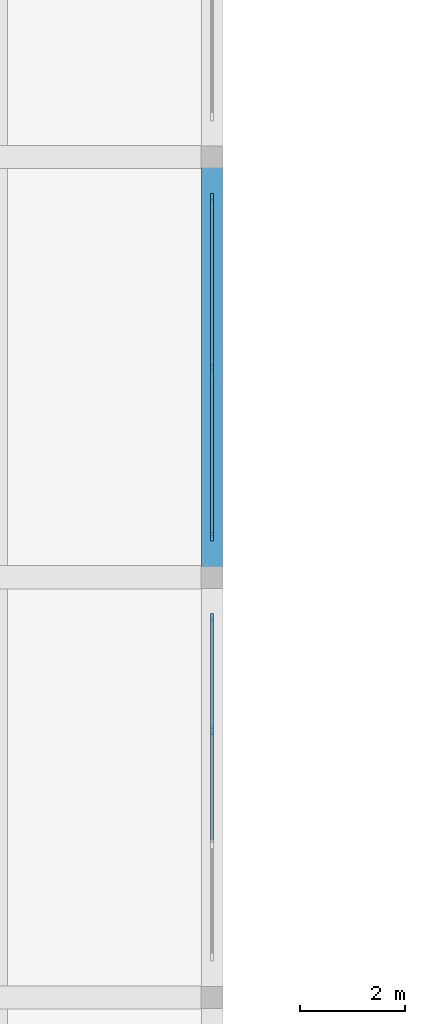
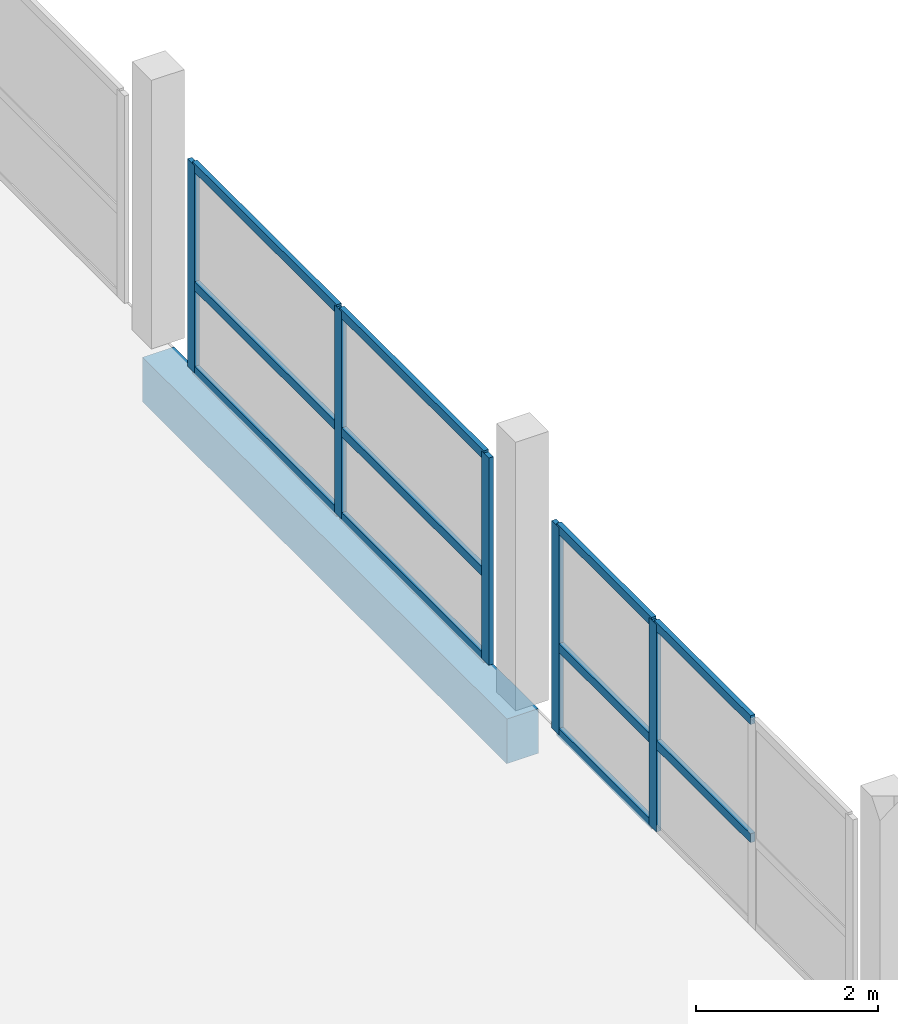
# One storey, part 10 of 51: 16 members, 1 beam, 2 elements without a shape of their own.
"""IFC4 building model written with IfcOpenShell, lengths in metres."""

from ifc_helpers import new_model, si_unit, direction, frame, origin, origin_2d, place, context, subcontext, project, spatial, rectangle, extrude, material, material_profile, profile_set, type_object, element, aggregate, save


model = new_model("IFC4")

# Units and contexts
model_context = context("Model", 3, precision=1e-05, world=origin(), true_north=direction((0.0, 1.0)))
body_context = subcontext(model_context, "Body", "Model", "MODEL_VIEW")
ifc_project = project(units=[si_unit("LENGTHUNIT", "METRE"), si_unit("AREAUNIT", "SQUARE_METRE"), si_unit("VOLUMEUNIT", "CUBIC_METRE"), si_unit("PLANEANGLEUNIT", "RADIAN"), si_unit("MASSUNIT", "GRAM", prefix="KILO")], contexts=[model_context])

# Site, building, storey
site_placement = place(None, origin())
site = spatial("IfcSite", under=ifc_project, at=site_placement, CompositionType="ELEMENT")
building_placement = place(site_placement, origin())
building = spatial("IfcBuilding", under=site, at=building_placement, Name="Vharandega Faculty of Natural Sciences", CompositionType="ELEMENT")
storey_placement = place(building_placement, frame((0.0, 0.0, 14.39990234375)))
storey = spatial("IfcBuildingStorey", under=building, at=storey_placement, Name="L03", CompositionType="ELEMENT", Elevation=14.39990234375)

# Curtain wall, members
ifc_material_1 = material(Name="Aluminium and solar-control glass curtain wall", Category="aluminium")
curtain_wall_type_1 = type_object("IfcCurtainWallType", Name="Unitised Curtain Wall System CW-16", PredefinedType="NOTDEFINED", material=ifc_material_1)
curtain_wall_1_placement = place(storey_placement, origin())
curtain_wall_1 = element("IfcCurtainWall", 1, at=curtain_wall_1_placement, inside=storey, type_object=curtain_wall_type_1, Name="Curtain Wall CW-L03-155", PredefinedType="NOTDEFINED")
ifc_material_2 = material(Name="Thermally broken aluminium 6063-T6", Category="aluminium")
ifc_material_profile_1 = material_profile(ifc_material_2, rectangle(XDim=0.06005859375, YDim=0.159912109375, at=origin_2d()), Name="ALU 60x160")
ifc_profile_set_1 = profile_set([ifc_material_profile_1], Name="Thermally broken aluminium 6063-T6")
member_type_1 = type_object("IfcMemberType", Name="CW Mullion 60x160", PredefinedType="MULLION", material=ifc_profile_set_1)
member_1_placement = place(storey_placement, frame((48.0, 21.086669921875, 0.0), z_axis=(0.0, 0.0, 1.0), x_axis=(-1.0, 0.0, 0.0)))
member_1 = element("IfcMember", 2, at=member_1_placement, type_object=member_type_1, Name="CW-16 mullion 3", PredefinedType="MULLION", context=body_context, shape_type="SweptSolid", body=[
    extrude(rectangle(XDim=0.06005859375, YDim=0.159912109375, at=origin_2d()), origin(), (0.0, 0.0, 1.0), 2.780029296875),
])
member_2_placement = place(storey_placement, frame((48.0, 23.22998046875, 0.0), z_axis=(0.0, 0.0, 1.0), x_axis=(-1.0, 0.0, 0.0)))
member_2 = element("IfcMember", 3, at=member_2_placement, type_object=member_type_1, Name="CW-16 mullion 4", PredefinedType="MULLION", context=body_context, shape_type="SweptSolid", body=[
    extrude(rectangle(XDim=0.06005859375, YDim=0.159912109375, at=origin_2d()), origin(), (0.0, 0.0, 1.0), 2.780029296875),
])

ifc_material_3 = material(Name="Aluminium and solar-control glass curtain wall", Category="aluminium")
curtain_wall_type_2 = type_object("IfcCurtainWallType", Name="Unitised Curtain Wall System CW-17", PredefinedType="NOTDEFINED", material=ifc_material_3)
curtain_wall_2_placement = place(storey_placement, origin())
curtain_wall_2 = element("IfcCurtainWall", 4, at=curtain_wall_2_placement, inside=storey, type_object=curtain_wall_type_2, Name="Curtain Wall CW-L03-156", PredefinedType="NOTDEFINED")
member_3_placement = place(storey_placement, frame((48.0, 24.77001953125, 0.0), z_axis=(0.0, 0.0, 1.0), x_axis=(-1.0, 0.0, 0.0)))
member_3 = element("IfcMember", 5, at=member_3_placement, type_object=member_type_1, Name="CW-17 mullion 1", PredefinedType="MULLION", context=body_context, shape_type="SweptSolid", body=[
    extrude(rectangle(XDim=0.06005859375, YDim=0.159912109375, at=origin_2d()), origin(), (0.0, 0.0, 1.0), 2.780029296875),
])
member_4_placement = place(storey_placement, frame((48.0, 28.0, 0.0), z_axis=(0.0, 0.0, 1.0), x_axis=(-1.0, 0.0, 0.0)))
member_4 = element("IfcMember", 6, at=member_4_placement, type_object=member_type_1, Name="CW-17 mullion 2", PredefinedType="MULLION", context=body_context, shape_type="SweptSolid", body=[
    extrude(rectangle(XDim=0.06005859375, YDim=0.159912109375, at=origin_2d()), origin(), (0.0, 0.0, 1.0), 2.780029296875),
])
member_5_placement = place(storey_placement, frame((48.0, 31.22998046875, 0.0), z_axis=(0.0, 0.0, 1.0), x_axis=(-1.0, 0.0, 0.0)))
member_5 = element("IfcMember", 7, at=member_5_placement, type_object=member_type_1, Name="CW-17 mullion 3", PredefinedType="MULLION", context=body_context, shape_type="SweptSolid", body=[
    extrude(rectangle(XDim=0.06005859375, YDim=0.159912109375, at=origin_2d()), origin(), (0.0, 0.0, 1.0), 2.780029296875),
])

# Member
ifc_material_4 = material(Name="Thermally broken aluminium 6063-T6", Category="aluminium")
ifc_material_profile_2 = material_profile(ifc_material_4, rectangle(XDim=0.06005859375, YDim=0.1201171875, at=origin_2d()), Name="ALU 60x120")
ifc_profile_set_2 = profile_set([ifc_material_profile_2], Name="Thermally broken aluminium 6063-T6")
member_type_2 = type_object("IfcMemberType", Name="CW Transom 60x120", PredefinedType="USERDEFINED", material=ifc_profile_set_2)
member_6_placement = place(storey_placement, frame((48.0, 18.943359375, 1.167724609375), z_axis=(0.0, 1.0, 0.0), x_axis=(-1.0, 0.0, 0.0)))
member_6 = element("IfcMember", 8, at=member_6_placement, type_object=member_type_2, Name="CW-16 transom 2.2", ObjectType="TRANSOM", PredefinedType="USERDEFINED", context=body_context, shape_type="SweptSolid", body=[
    extrude(rectangle(XDim=0.06005859375, YDim=0.1201171875, at=origin_2d()), origin(), (0.0, 0.0, 1.0), 2.11328125),
])

member_7_placement = place(storey_placement, frame((48.0, 18.943359375, 2.75), z_axis=(0.0, 1.0, 0.0), x_axis=(-1.0, 0.0, 0.0)))
member_7 = element("IfcMember", 9, at=member_7_placement, type_object=member_type_2, Name="CW-16 transom 2.3", ObjectType="TRANSOM", PredefinedType="USERDEFINED", context=body_context, shape_type="SweptSolid", body=[
    extrude(rectangle(XDim=0.06005859375, YDim=0.1201171875, at=origin_2d()), origin(), (0.0, 0.0, 1.0), 2.11328125),
])

member_8_placement = place(storey_placement, frame((48.0, 21.11669921875, 0.030029296875), z_axis=(0.0, 1.0, 0.0), x_axis=(-1.0, 0.0, 0.0)))
member_8 = element("IfcMember", 10, at=member_8_placement, type_object=member_type_2, Name="CW-16 transom 3.1", ObjectType="TRANSOM", PredefinedType="USERDEFINED", context=body_context, shape_type="SweptSolid", body=[
    extrude(rectangle(XDim=0.06005859375, YDim=0.1201171875, at=origin_2d()), origin(), (0.0, 0.0, 1.0), 2.083251953125),
])

member_9_placement = place(storey_placement, frame((48.0, 21.11669921875, 1.167724609375), z_axis=(0.0, 1.0, 0.0), x_axis=(-1.0, 0.0, 0.0)))
member_9 = element("IfcMember", 11, at=member_9_placement, type_object=member_type_2, Name="CW-16 transom 3.2", ObjectType="TRANSOM", PredefinedType="USERDEFINED", context=body_context, shape_type="SweptSolid", body=[
    extrude(rectangle(XDim=0.06005859375, YDim=0.1201171875, at=origin_2d()), origin(), (0.0, 0.0, 1.0), 2.083251953125),
])

member_10_placement = place(storey_placement, frame((48.0, 21.11669921875, 2.75), z_axis=(0.0, 1.0, 0.0), x_axis=(-1.0, 0.0, 0.0)))
member_10 = element("IfcMember", 12, at=member_10_placement, type_object=member_type_2, Name="CW-16 transom 3.3", ObjectType="TRANSOM", PredefinedType="USERDEFINED", context=body_context, shape_type="SweptSolid", body=[
    extrude(rectangle(XDim=0.06005859375, YDim=0.1201171875, at=origin_2d()), origin(), (0.0, 0.0, 1.0), 2.083251953125),
])

aggregate(curtain_wall_1, [member_1, member_2, member_6, member_7, member_8, member_9, member_10])

member_11_placement = place(storey_placement, frame((48.0, 24.800048828125, 0.030029296875), z_axis=(0.0, 1.0, 0.0), x_axis=(-1.0, 0.0, 0.0)))
member_11 = element("IfcMember", 13, at=member_11_placement, type_object=member_type_2, Name="CW-17 transom 1.1", ObjectType="TRANSOM", PredefinedType="USERDEFINED", context=body_context, shape_type="SweptSolid", body=[
    extrude(rectangle(XDim=0.06005859375, YDim=0.1201171875, at=origin_2d()), origin(), (0.0, 0.0, 1.0), 3.169921875),
])

member_12_placement = place(storey_placement, frame((48.0, 24.800048828125, 1.167724609375), z_axis=(0.0, 1.0, 0.0), x_axis=(-1.0, 0.0, 0.0)))
member_12 = element("IfcMember", 14, at=member_12_placement, type_object=member_type_2, Name="CW-17 transom 1.2", ObjectType="TRANSOM", PredefinedType="USERDEFINED", context=body_context, shape_type="SweptSolid", body=[
    extrude(rectangle(XDim=0.06005859375, YDim=0.1201171875, at=origin_2d()), origin(), (0.0, 0.0, 1.0), 3.169921875),
])

member_13_placement = place(storey_placement, frame((48.0, 24.800048828125, 2.75), z_axis=(0.0, 1.0, 0.0), x_axis=(-1.0, 0.0, 0.0)))
member_13 = element("IfcMember", 15, at=member_13_placement, type_object=member_type_2, Name="CW-17 transom 1.3", ObjectType="TRANSOM", PredefinedType="USERDEFINED", context=body_context, shape_type="SweptSolid", body=[
    extrude(rectangle(XDim=0.06005859375, YDim=0.1201171875, at=origin_2d()), origin(), (0.0, 0.0, 1.0), 3.169921875),
])

member_14_placement = place(storey_placement, frame((48.0, 28.030029296875, 0.030029296875), z_axis=(0.0, 1.0, 0.0), x_axis=(-1.0, 0.0, 0.0)))
member_14 = element("IfcMember", 16, at=member_14_placement, type_object=member_type_2, Name="CW-17 transom 2.1", ObjectType="TRANSOM", PredefinedType="USERDEFINED", context=body_context, shape_type="SweptSolid", body=[
    extrude(rectangle(XDim=0.06005859375, YDim=0.1201171875, at=origin_2d()), origin(), (0.0, 0.0, 1.0), 3.169921875),
])

member_15_placement = place(storey_placement, frame((48.0, 28.030029296875, 1.167724609375), z_axis=(0.0, 1.0, 0.0), x_axis=(-1.0, 0.0, 0.0)))
member_15 = element("IfcMember", 17, at=member_15_placement, type_object=member_type_2, Name="CW-17 transom 2.2", ObjectType="TRANSOM", PredefinedType="USERDEFINED", context=body_context, shape_type="SweptSolid", body=[
    extrude(rectangle(XDim=0.06005859375, YDim=0.1201171875, at=origin_2d()), origin(), (0.0, 0.0, 1.0), 3.169921875),
])

member_16_placement = place(storey_placement, frame((48.0, 28.030029296875, 2.75), z_axis=(0.0, 1.0, 0.0), x_axis=(-1.0, 0.0, 0.0)))
member_16 = element("IfcMember", 18, at=member_16_placement, type_object=member_type_2, Name="CW-17 transom 2.3", ObjectType="TRANSOM", PredefinedType="USERDEFINED", context=body_context, shape_type="SweptSolid", body=[
    extrude(rectangle(XDim=0.06005859375, YDim=0.1201171875, at=origin_2d()), origin(), (0.0, 0.0, 1.0), 3.169921875),
])

aggregate(curtain_wall_2, [member_3, member_4, member_5, member_11, member_12, member_13, member_14, member_15, member_16])

# Beam
ifc_material_5 = material(Name="Glulam GL32h", Category="wood")
ifc_material_profile_3 = material_profile(ifc_material_5, rectangle(XDim=0.39990234375, YDim=0.60009765625, at=origin_2d()), Name="GL32h 400x600")
ifc_profile_set_3 = profile_set([ifc_material_profile_3], Name="Glulam GL32h")
beam_type = type_object("IfcBeamType", Name="Glulam Spine Girder 400x600", PredefinedType="BEAM", material=ifc_profile_set_3)
beam_placement = place(storey_placement, frame((48.0, 24.0, -0.539794921875), z_axis=(0.0, 1.0, 0.0), x_axis=(-1.0, 0.0, 0.0)))
element("IfcBeam", 19, at=beam_placement, inside=storey, type_object=beam_type, Name="Beam L03 7/D-E", PredefinedType="BEAM", context=body_context, shape_type="SweptSolid", body=[
    extrude(rectangle(XDim=0.39990234375, YDim=0.60009765625, at=origin_2d()), origin(), (0.0, 0.0, 1.0), 8.0),
])

save(model, "model.ifc")
